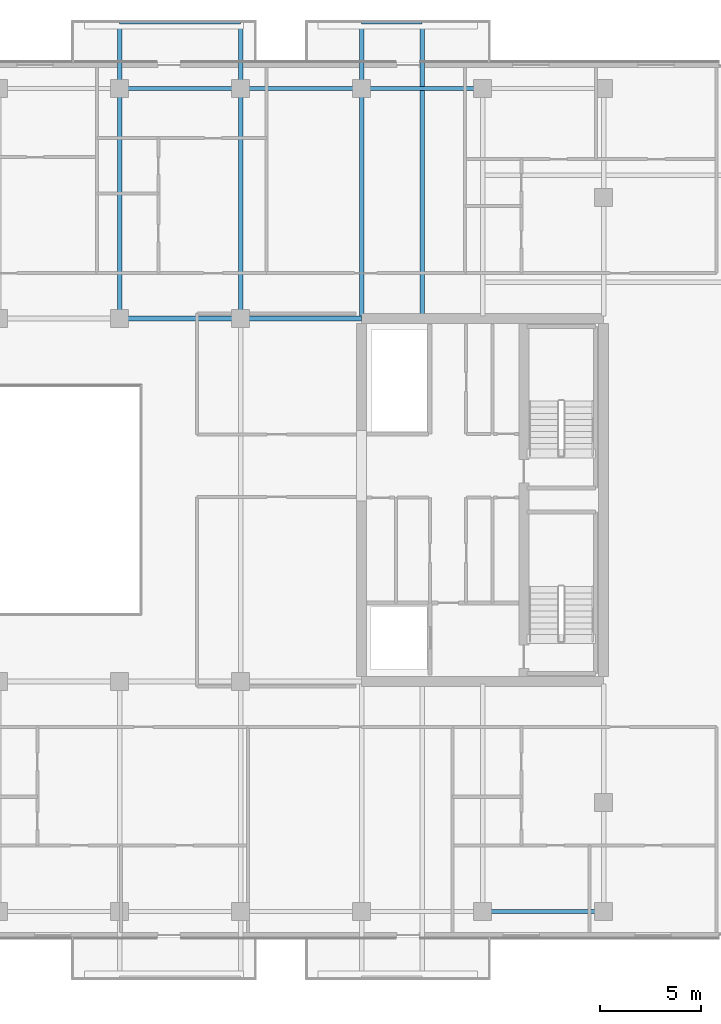
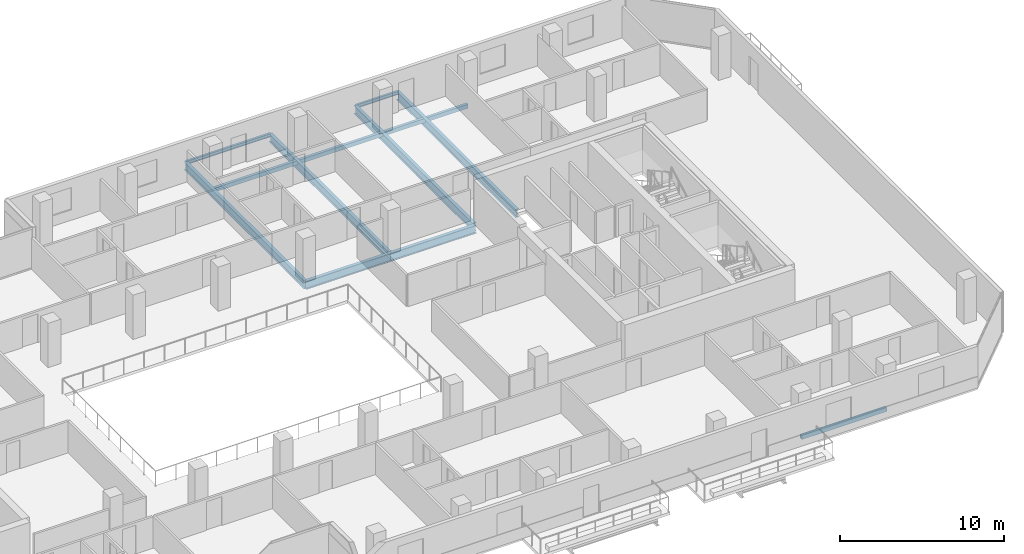
# One storey, part 12 of 29: 12 beams.
"""IFC4 building model written with IfcOpenShell, lengths in metres."""

from ifc_helpers import new_model, si_unit, direction, frame, origin, origin_2d, place, context, subcontext, project, spatial, hollow_rectangle, i_section, extrude, material, material_profile, profile_set, type_object, element, save


model = new_model("IFC4")

# Units and contexts
model_context = context("Model", 3, precision=1e-05, world=origin(), true_north=direction((0.0, 1.0)))
body_context = subcontext(model_context, "Body", "Model", "MODEL_VIEW")
ifc_project = project(units=[si_unit("LENGTHUNIT", "METRE"), si_unit("AREAUNIT", "SQUARE_METRE"), si_unit("VOLUMEUNIT", "CUBIC_METRE"), si_unit("PLANEANGLEUNIT", "RADIAN"), si_unit("MASSUNIT", "GRAM", prefix="KILO")], contexts=[model_context])

# Site, building, storey
site_placement = place(None, origin())
site = spatial("IfcSite", under=ifc_project, at=site_placement, CompositionType="ELEMENT")
building_placement = place(site_placement, origin())
building = spatial("IfcBuilding", under=site, at=building_placement, Name="Tanjung Sevakor Pilgrim Tower", CompositionType="ELEMENT")
storey_placement = place(building_placement, frame((0.0, 0.0, 151.800048828125)))
storey = spatial("IfcBuildingStorey", under=building, at=storey_placement, Name="L42", CompositionType="ELEMENT", Elevation=151.800048828125)

# Beams
ifc_material_1 = material(Name="Steel S355J2", Category="steel")
ifc_material_profile_1 = material_profile(ifc_material_1, i_section(OverallWidth=0.230224609375, OverallDepth=0.6171875, WebThickness=0.01318359375, FlangeThickness=0.022216796875, FilletRadius=0.0126953125, at=origin_2d()))
ifc_profile_set_1 = profile_set([ifc_material_profile_1], Name="Steel S355J2")
beam_type_1 = type_object("IfcBeamType", Name="BM-B-G3-UB_610x229x140", PredefinedType="BEAM", material=ifc_profile_set_1)
for number, where, z_axis, x_axis, name in (
    (1, (66.0, 42.60009765625, -0.528564453125), (1.0, 0.0, 0.0), (0.0, 1.0, 0.0), "L42 Primary Floor Girder MAIN Y426-06"),
    (2, (72.0, 42.60009765625, -0.528564453125), (1.0, 0.0, 0.0), (0.0, 1.0, 0.0), "L42 Primary Floor Girder MAIN Y426-07"),
):
    element("IfcBeam", number, at=place(storey_placement, frame(where, z_axis=z_axis, x_axis=x_axis)), inside=storey, type_object=beam_type_1, Name=name, PredefinedType="BEAM", context=body_context, shape_type="SweptSolid", body=[
        extrude(i_section(OverallWidth=0.230224609375, OverallDepth=0.6171875, WebThickness=0.01318359375, FlangeThickness=0.022216796875, FilletRadius=0.0126953125, at=origin_2d()), origin(), (0.0, 0.0, 1.0), 6.0),
    ])
ifc_material_2 = material(Name="Steel S355J2", Category="steel")
ifc_material_profile_2 = material_profile(ifc_material_2, i_section(OverallWidth=0.22900390625, OverallDepth=0.6123046875, WebThickness=0.011962890625, FlangeThickness=0.01953125, FilletRadius=0.0126953125, at=origin_2d()))
ifc_profile_set_2 = profile_set([ifc_material_profile_2], Name="Steel S355J2")
beam_type_2 = type_object("IfcBeamType", Name="BM-B-G4-UB_610x229x125", PredefinedType="BEAM", material=ifc_profile_set_2)
for number, where, z_axis, x_axis, name in (
    (3, (66.0, 42.60009765625, -0.526123046875), (0.0, 1.0, 0.0), (-1.0, 0.0, 0.0), "L42 Balcony Cantilever Beam MAIN-N2-1"),
    (4, (72.0, 42.60009765625, -0.526123046875), (0.0, 1.0, 0.0), (-1.0, 0.0, 0.0), "L42 Balcony Cantilever Beam MAIN-N2-2"),
):
    element("IfcBeam", number, at=place(storey_placement, frame(where, z_axis=z_axis, x_axis=x_axis)), inside=storey, type_object=beam_type_2, Name=name, PredefinedType="BEAM", context=body_context, shape_type="SweptSolid", body=[
        extrude(i_section(OverallWidth=0.22900390625, OverallDepth=0.6123046875, WebThickness=0.011962890625, FlangeThickness=0.01953125, FilletRadius=0.0126953125, at=origin_2d()), origin(), (0.0, 0.0, 1.0), 14.679931640625),
    ])
for number, where, z_axis, x_axis, name in (
    (5, (78.0, 42.715087890625, -0.526123046875), (0.0, 1.0, 0.0), (-1.0, 0.0, 0.0), "L42 Balcony Cantilever Beam MAIN-N3-1"),
    (6, (81.0, 42.715087890625, -0.526123046875), (0.0, 1.0, 0.0), (-1.0, 0.0, 0.0), "L42 Balcony Cantilever Beam MAIN-N3-2"),
):
    element("IfcBeam", number, at=place(storey_placement, frame(where, z_axis=z_axis, x_axis=x_axis)), inside=storey, type_object=beam_type_2, Name=name, PredefinedType="BEAM", context=body_context, shape_type="SweptSolid", body=[
        extrude(i_section(OverallWidth=0.22900390625, OverallDepth=0.6123046875, WebThickness=0.011962890625, FlangeThickness=0.01953125, FilletRadius=0.0126953125, at=origin_2d()), origin(), (0.0, 0.0, 1.0), 14.56494140625),
    ])
ifc_material_3 = material(Name="Steel S355J2", Category="steel")
ifc_material_profile_3 = material_profile(ifc_material_3, i_section(OverallWidth=0.146484375, OverallDepth=0.256103515625, WebThickness=0.00634765625, FlangeThickness=0.010986328125, FilletRadius=0.007568359375, at=origin_2d()))
ifc_profile_set_3 = profile_set([ifc_material_profile_3], Name="Steel S355J2")
beam_type_3 = type_object("IfcBeamType", Name="BM-B-J6-UB_254x146x37", PredefinedType="JOIST", material=ifc_profile_set_3)
beam_1_placement = place(storey_placement, frame((66.0, 57.280029296875, -0.328125), z_axis=(1.0, 0.0, 0.0), x_axis=(0.0, 1.0, 0.0)))
element("IfcBeam", 7, at=beam_1_placement, inside=storey, type_object=beam_type_3, Name="L42 Balcony Rim Tie MAIN-N2", PredefinedType="JOIST", context=body_context, shape_type="SweptSolid", body=[
    extrude(i_section(OverallWidth=0.146484375, OverallDepth=0.256103515625, WebThickness=0.00634765625, FlangeThickness=0.010986328125, FilletRadius=0.007568359375, at=origin_2d()), origin(), (0.0, 0.0, 1.0), 6.0),
])
beam_2_placement = place(storey_placement, frame((78.0, 57.280029296875, -0.328125), z_axis=(1.0, 0.0, 0.0), x_axis=(0.0, 1.0, 0.0)))
element("IfcBeam", 8, at=beam_2_placement, inside=storey, type_object=beam_type_3, Name="L42 Balcony Rim Tie MAIN-N3", PredefinedType="JOIST", context=body_context, shape_type="SweptSolid", body=[
    extrude(i_section(OverallWidth=0.146484375, OverallDepth=0.256103515625, WebThickness=0.00634765625, FlangeThickness=0.010986328125, FilletRadius=0.007568359375, at=origin_2d()), origin(), (0.0, 0.0, 1.0), 3.0),
])
ifc_material_4 = material(Name="Steel S355J2", Category="steel")
ifc_material_profile_4 = material_profile(ifc_material_4, hollow_rectangle(XDim=0.199951171875, YDim=0.300048828125, WallThickness=0.012451171875, at=origin_2d()))
ifc_profile_set_4 = profile_set([ifc_material_profile_4], Name="Steel S355J2")
beam_type_4 = type_object("IfcBeamType", Name="BM-B-SP3-RHS_300x200x12.5", PredefinedType="SPANDREL", material=ifc_profile_set_4)
for number, where, z_axis, x_axis, name in (
    (9, (66.0, 54.0, -0.3701171875), (1.0, 0.0, 0.0), (0.0, 1.0, 0.0), "L42 Spandrel MAIN N-12"),
    (10, (72.0, 54.0, -0.3701171875), (1.0, 0.0, 0.0), (0.0, 1.0, 0.0), "L42 Spandrel MAIN N-14"),
    (11, (78.0, 54.0, -0.3701171875), (1.0, 0.0, 0.0), (0.0, 1.0, 0.0), "L42 Spandrel MAIN N-16"),
    (12, (84.0, 13.199951171875, -0.3701171875), (1.0, 0.0, 0.0), (0.0, 1.0, 0.0), "L42 Spandrel MAIN S-17"),
):
    element("IfcBeam", number, at=place(storey_placement, frame(where, z_axis=z_axis, x_axis=x_axis)), inside=storey, type_object=beam_type_4, Name=name, PredefinedType="SPANDREL", context=body_context, shape_type="SweptSolid", body=[
        extrude(hollow_rectangle(XDim=0.199951171875, YDim=0.300048828125, WallThickness=0.012451171875, at=origin_2d()), origin(), (0.0, 0.0, 1.0), 6.0),
    ])

save(model, "model.ifc")
